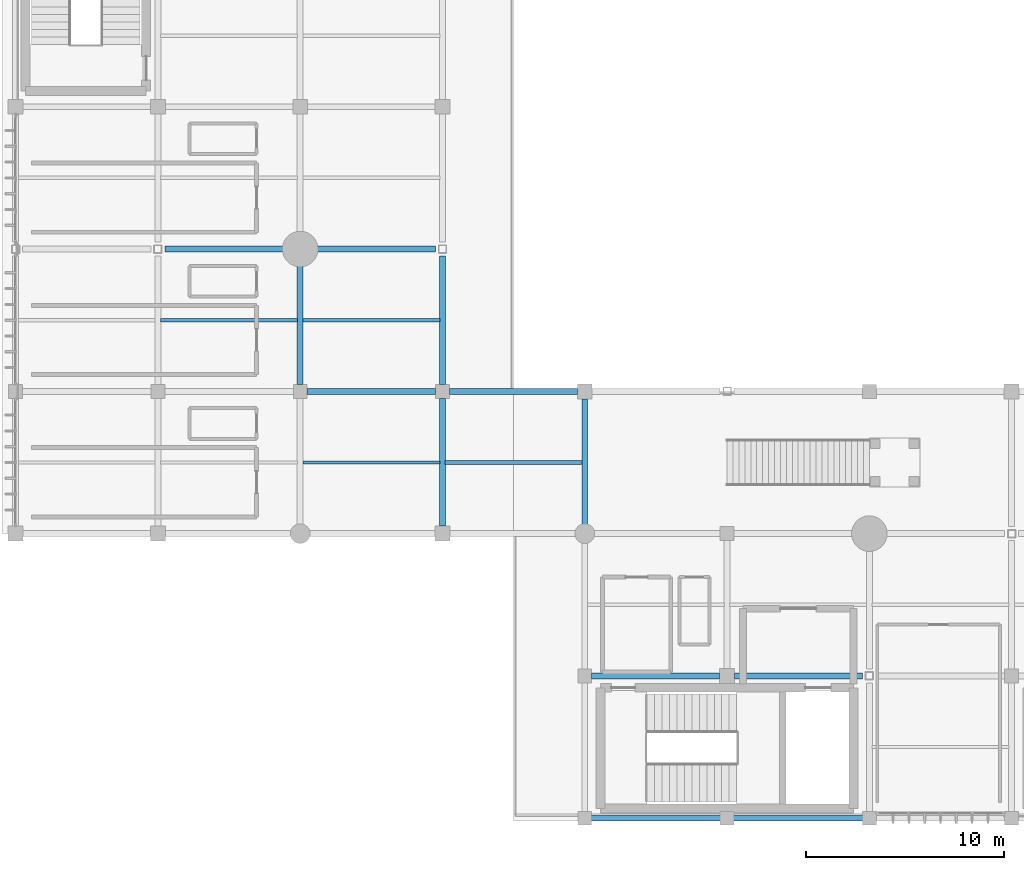
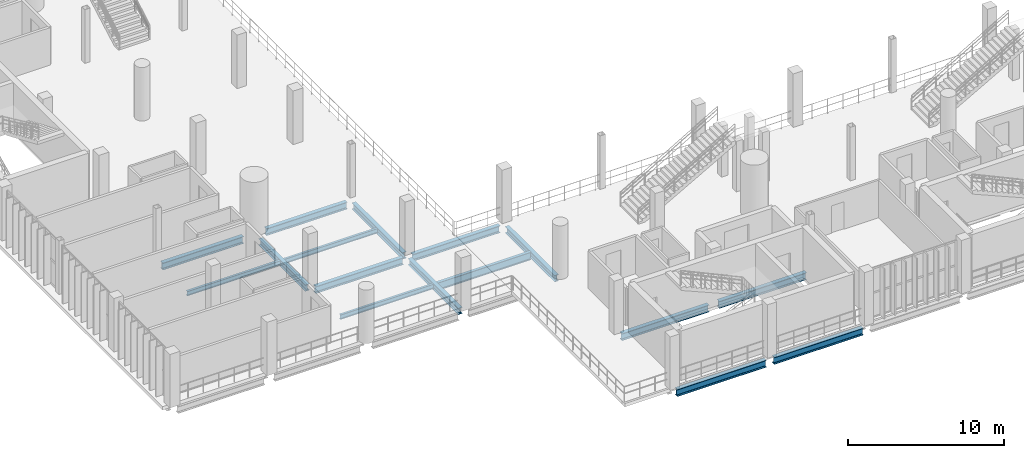
# One storey, part 23 of 130: 16 beams.
"""IFC4 building model written with IfcOpenShell, lengths in metres."""

from ifc_helpers import new_model, si_unit, direction, frame, origin, origin_2d, place, context, subcontext, project, spatial, i_section, extrude, material, material_profile, profile_set, type_object, element, save


model = new_model("IFC4")

# Units and contexts
model_context = context("Model", 3, precision=1e-05, world=origin(), true_north=direction((0.0, 1.0)))
body_context = subcontext(model_context, "Body", "Model", "MODEL_VIEW")
ifc_project = project(units=[si_unit("LENGTHUNIT", "METRE"), si_unit("AREAUNIT", "SQUARE_METRE"), si_unit("VOLUMEUNIT", "CUBIC_METRE"), si_unit("PLANEANGLEUNIT", "RADIAN"), si_unit("MASSUNIT", "GRAM", prefix="KILO")], contexts=[model_context])

# Site, building, storey
site_placement = place(None, origin())
site = spatial("IfcSite", under=ifc_project, at=site_placement, CompositionType="ELEMENT")
building_placement = place(site_placement, origin())
building = spatial("IfcBuilding", under=site, at=building_placement, Name="Qandorah Velis Arena", CompositionType="ELEMENT")
storey_placement = place(building_placement, frame((0.0, 0.0, 9.60009765625)))
storey = spatial("IfcBuildingStorey", under=building, at=storey_placement, Name="L02", CompositionType="ELEMENT", Elevation=9.60009765625)

# Beams
ifc_material = material(Name="Steel S355", Category="steel")
ifc_material_profile_1 = material_profile(ifc_material, i_section(OverallWidth=0.300048828125, OverallDepth=0.5, WebThickness=0.014404296875, FlangeThickness=0.028076171875, FilletRadius=0.027099609375, at=origin_2d()), Name="HEB 500")
ifc_profile_set_1 = profile_set([ifc_material_profile_1], Name="Steel S355")
beam_type_1 = type_object("IfcBeamType", Name="STR-BM-HEB500", PredefinedType="BEAM", material=ifc_profile_set_1)
beam_1_placement = place(storey_placement, frame((14.39990234375, 21.949951171875, -0.530029296875), z_axis=(0.0, 1.0, 0.0), x_axis=(-1.0, 0.0, 0.0)))
element("IfcBeam", 1, at=beam_1_placement, inside=storey, type_object=beam_type_1, Name="Primary floor girder L02 Y-213", PredefinedType="BEAM", context=body_context, shape_type="SweptSolid", body=[
    extrude(i_section(OverallWidth=0.300048828125, OverallDepth=0.5, WebThickness=0.014404296875, FlangeThickness=0.028076171875, FilletRadius=0.027099609375, at=origin_2d()), origin(), (0.0, 0.0, 1.0), 6.0),
])
beam_2_placement = place(storey_placement, frame((21.60009765625, 14.77490234375, -0.530029296875), z_axis=(0.0, 1.0, 0.0), x_axis=(-1.0, 0.0, 0.0)))
element("IfcBeam", 2, at=beam_2_placement, inside=storey, type_object=beam_type_1, Name="Primary floor girder L02 Y-226", PredefinedType="BEAM", context=body_context, shape_type="SweptSolid", body=[
    extrude(i_section(OverallWidth=0.300048828125, OverallDepth=0.5, WebThickness=0.014404296875, FlangeThickness=0.028076171875, FilletRadius=0.027099609375, at=origin_2d()), origin(), (0.0, 0.0, 1.0), 6.47509765625),
])
beam_3_placement = place(storey_placement, frame((21.60009765625, 21.949951171875, -0.530029296875), z_axis=(0.0, 1.0, 0.0), x_axis=(-1.0, 0.0, 0.0)))
element("IfcBeam", 3, at=beam_3_placement, inside=storey, type_object=beam_type_1, Name="Primary floor girder L02 Y-227", PredefinedType="BEAM", context=body_context, shape_type="SweptSolid", body=[
    extrude(i_section(OverallWidth=0.300048828125, OverallDepth=0.5, WebThickness=0.014404296875, FlangeThickness=0.028076171875, FilletRadius=0.027099609375, at=origin_2d()), origin(), (0.0, 0.0, 1.0), 6.5),
])
beam_4_placement = place(storey_placement, frame((28.800048828125, 14.85009765625, -0.530029296875), z_axis=(0.0, 1.0, 0.0), x_axis=(-1.0, 0.0, 0.0)))
element("IfcBeam", 4, at=beam_4_placement, inside=storey, type_object=beam_type_1, Name="Primary floor girder L02 Y-242", PredefinedType="BEAM", context=body_context, shape_type="SweptSolid", body=[
    extrude(i_section(OverallWidth=0.300048828125, OverallDepth=0.5, WebThickness=0.014404296875, FlangeThickness=0.028076171875, FilletRadius=0.027099609375, at=origin_2d()), origin(), (0.0, 0.0, 1.0), 6.375),
])
ifc_material_profile_2 = material_profile(ifc_material, i_section(OverallWidth=0.300048828125, OverallDepth=0.550048828125, WebThickness=0.014892578125, FlangeThickness=0.029052734375, FilletRadius=0.027099609375, at=origin_2d()), Name="HEB 550")
ifc_profile_set_2 = profile_set([ifc_material_profile_2], Name="Steel S355")
beam_type_2 = type_object("IfcBeamType", Name="STR-BM-HEB550", PredefinedType="BEAM", material=ifc_profile_set_2)
for number, where, z_axis, x_axis, name in (
    (5, (29.10009765625, 0.0, -0.55517578125), (1.0, 0.0, 0.0), (0.0, 1.0, 0.0), "Primary floor girder L02 X-001"),
    (6, (36.300048828125, 0.0, -0.55517578125), (1.0, 0.0, 0.0), (0.0, 1.0, 0.0), "Primary floor girder L02 X-002"),
):
    element("IfcBeam", number, at=place(storey_placement, frame(where, z_axis=z_axis, x_axis=x_axis)), inside=storey, type_object=beam_type_2, Name=name, PredefinedType="BEAM", context=body_context, shape_type="SweptSolid", body=[
        extrude(i_section(OverallWidth=0.300048828125, OverallDepth=0.550048828125, WebThickness=0.014892578125, FlangeThickness=0.029052734375, FilletRadius=0.027099609375, at=origin_2d()), origin(), (0.0, 0.0, 1.0), 6.599853515625),
    ])
for number, where, z_axis, x_axis, name in (
    (7, (29.14990234375, 7.199951171875, -0.55517578125), (1.0, 0.0, 0.0), (0.0, 1.0, 0.0), "Primary floor girder L02 X-013"),
    (8, (36.375, 7.199951171875, -0.55517578125), (1.0, 0.0, 0.0), (0.0, 1.0, 0.0), "Primary floor girder L02 X-014"),
):
    element("IfcBeam", number, at=place(storey_placement, frame(where, z_axis=z_axis, x_axis=x_axis)), inside=storey, type_object=beam_type_2, Name=name, PredefinedType="BEAM", context=body_context, shape_type="SweptSolid", body=[
        extrude(i_section(OverallWidth=0.300048828125, OverallDepth=0.550048828125, WebThickness=0.014892578125, FlangeThickness=0.029052734375, FilletRadius=0.027099609375, at=origin_2d()), origin(), (0.0, 0.0, 1.0), 6.47509765625),
    ])
beam_5_placement = place(storey_placement, frame((14.75, 21.60009765625, -0.55517578125), z_axis=(1.0, 0.0, 0.0), x_axis=(0.0, 1.0, 0.0)))
element("IfcBeam", 9, at=beam_5_placement, inside=storey, type_object=beam_type_2, Name="Primary floor girder L02 X-043", PredefinedType="BEAM", context=body_context, shape_type="SweptSolid", body=[
    extrude(i_section(OverallWidth=0.300048828125, OverallDepth=0.550048828125, WebThickness=0.014892578125, FlangeThickness=0.029052734375, FilletRadius=0.027099609375, at=origin_2d()), origin(), (0.0, 0.0, 1.0), 6.5),
])
beam_6_placement = place(storey_placement, frame((21.949951171875, 21.60009765625, -0.55517578125), z_axis=(1.0, 0.0, 0.0), x_axis=(0.0, 1.0, 0.0)))
element("IfcBeam", 10, at=beam_6_placement, inside=storey, type_object=beam_type_2, Name="Primary floor girder L02 X-044", PredefinedType="BEAM", context=body_context, shape_type="SweptSolid", body=[
    extrude(i_section(OverallWidth=0.300048828125, OverallDepth=0.550048828125, WebThickness=0.014892578125, FlangeThickness=0.029052734375, FilletRadius=0.027099609375, at=origin_2d()), origin(), (0.0, 0.0, 1.0), 6.47509765625),
])
for number, where, z_axis, x_axis, name in (
    (11, (7.550048828125, 28.800048828125, -0.55517578125), (1.0, 0.0, 0.0), (0.0, 1.0, 0.0), "Primary floor girder L02 X-058"),
    (12, (15.25, 28.800048828125, -0.55517578125), (1.0, 0.0, 0.0), (0.0, 1.0, 0.0), "Primary floor girder L02 X-059"),
):
    element("IfcBeam", number, at=place(storey_placement, frame(where, z_axis=z_axis, x_axis=x_axis)), inside=storey, type_object=beam_type_2, Name=name, PredefinedType="BEAM", context=body_context, shape_type="SweptSolid", body=[
        extrude(i_section(OverallWidth=0.300048828125, OverallDepth=0.550048828125, WebThickness=0.014892578125, FlangeThickness=0.029052734375, FilletRadius=0.027099609375, at=origin_2d()), origin(), (0.0, 0.0, 1.0), 6.0),
    ])
ifc_material_profile_3 = material_profile(ifc_material, i_section(OverallWidth=0.169921875, OverallDepth=0.360107421875, WebThickness=0.008056640625, FlangeThickness=0.0126953125, FilletRadius=0.01806640625, at=origin_2d()), Name="IPE 360")
ifc_profile_set_3 = profile_set([ifc_material_profile_3], Name="Steel S355")
beam_type_3 = type_object("IfcBeamType", Name="STR-JST-IPE360", PredefinedType="JOIST", material=ifc_profile_set_3)
beam_7_placement = place(storey_placement, frame((7.3349609375, 25.199951171875, -0.460205078125), z_axis=(1.0, 0.0, 0.0), x_axis=(0.0, 1.0, 0.0)))
element("IfcBeam", 13, at=beam_7_placement, inside=storey, type_object=beam_type_3, Name="Secondary floor joist L02-012", PredefinedType="JOIST", context=body_context, shape_type="SweptSolid", body=[
    extrude(i_section(OverallWidth=0.169921875, OverallDepth=0.360107421875, WebThickness=0.008056640625, FlangeThickness=0.0126953125, FilletRadius=0.01806640625, at=origin_2d()), origin(), (0.0, 0.0, 1.0), 6.929931640625),
])
for number, where, z_axis, x_axis, name in (
    (14, (14.534912109375, 18.0, -0.460205078125), (1.0, 0.0, 0.0), (0.0, 1.0, 0.0), "Secondary floor joist L02-025"),
    (15, (14.534912109375, 25.199951171875, -0.460205078125), (1.0, 0.0, 0.0), (0.0, 1.0, 0.0), "Secondary floor joist L02-026"),
):
    element("IfcBeam", number, at=place(storey_placement, frame(where, z_axis=z_axis, x_axis=x_axis)), inside=storey, type_object=beam_type_3, Name=name, PredefinedType="JOIST", context=body_context, shape_type="SweptSolid", body=[
        extrude(i_section(OverallWidth=0.169921875, OverallDepth=0.360107421875, WebThickness=0.008056640625, FlangeThickness=0.0126953125, FilletRadius=0.01806640625, at=origin_2d()), origin(), (0.0, 0.0, 1.0), 6.93017578125),
    ])
ifc_material_profile_4 = material_profile(ifc_material, i_section(OverallWidth=0.219970703125, OverallDepth=0.60009765625, WebThickness=0.011962890625, FlangeThickness=0.01904296875, FilletRadius=0.02392578125, at=origin_2d()), Name="IPE 600")
ifc_profile_set_4 = profile_set([ifc_material_profile_4], Name="Steel S355")
beam_type_4 = type_object("IfcBeamType", Name="STR-JST-IPE600", PredefinedType="JOIST", material=ifc_profile_set_4)
beam_8_placement = place(storey_placement, frame((21.735107421875, 18.0, -0.580078125), z_axis=(1.0, 0.0, 0.0), x_axis=(0.0, 1.0, 0.0)))
element("IfcBeam", 16, at=beam_8_placement, inside=storey, type_object=beam_type_4, Name="Secondary floor joist L02-037", PredefinedType="JOIST", context=body_context, shape_type="SweptSolid", body=[
    extrude(i_section(OverallWidth=0.219970703125, OverallDepth=0.60009765625, WebThickness=0.011962890625, FlangeThickness=0.01904296875, FilletRadius=0.02392578125, at=origin_2d()), origin(), (0.0, 0.0, 1.0), 6.929931640625),
])

save(model, "model.ifc")
